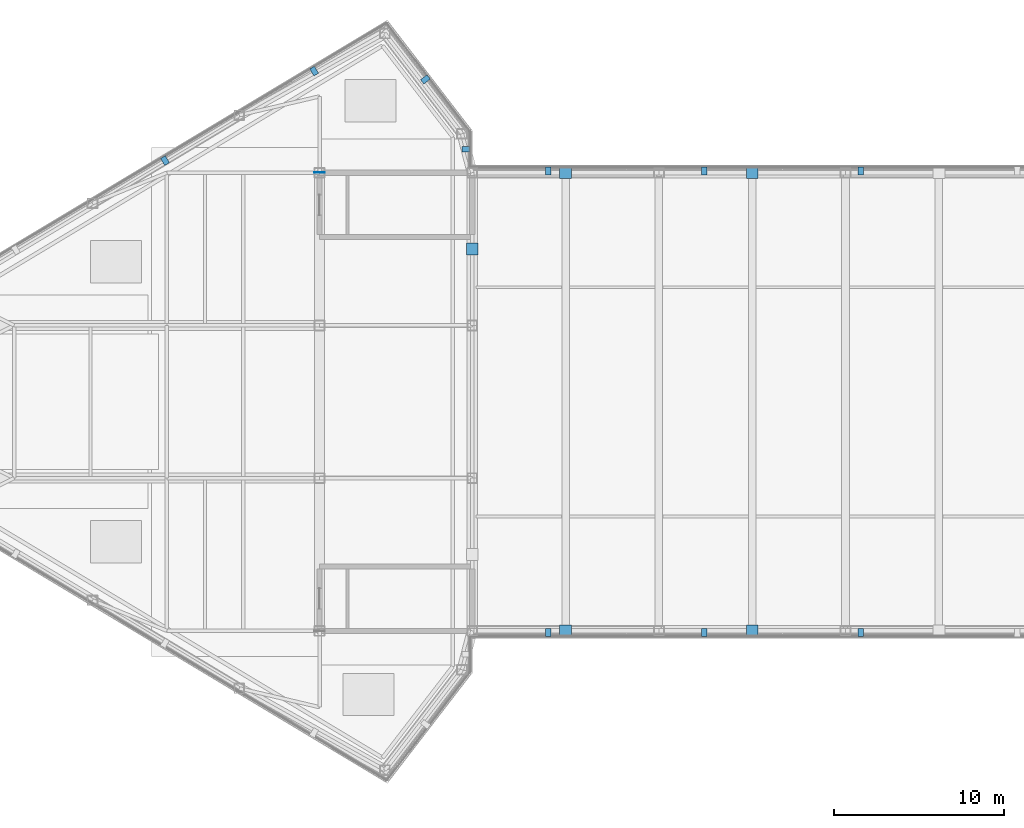
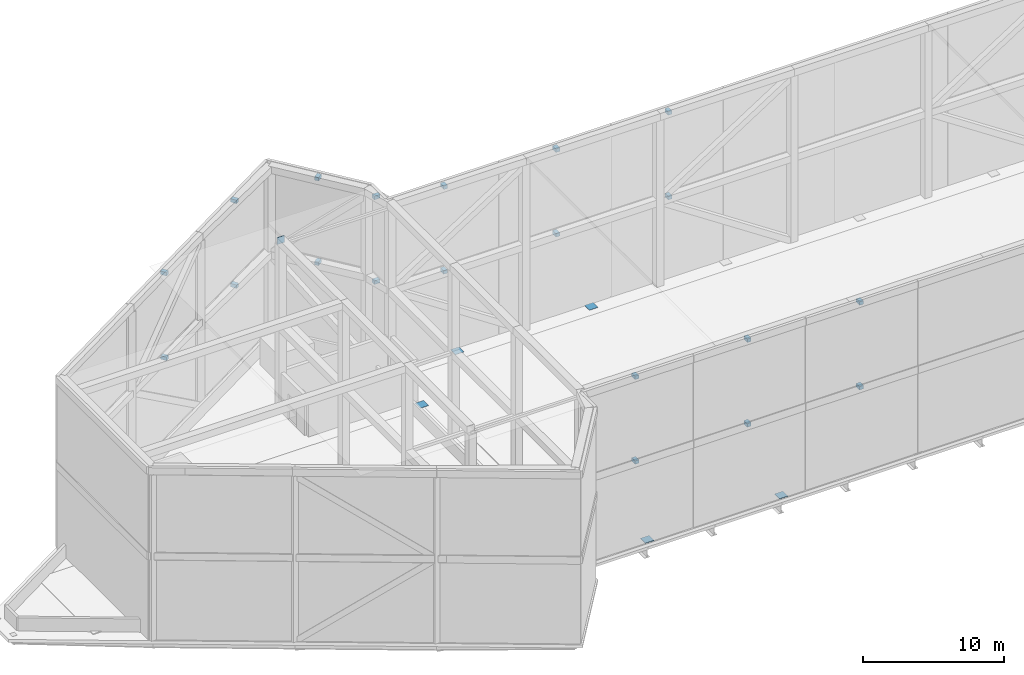
# One storey, part 11 of 16: 26 discrete accessories.
"""IFC4 building model written with IfcOpenShell, lengths in metres."""

from ifc_helpers import new_model, si_unit, direction, frame, origin, origin_2d, place, context, subcontext, project, spatial, rectangle, extrude, source, transform, mapped, material, type_object, type_shapes, element, save


model = new_model("IFC4")

# Units and contexts
model_context = context("Model", 3, precision=1e-05, world=origin(), true_north=direction((0.0, 1.0)))
body_context = subcontext(model_context, "Body", "Model", "MODEL_VIEW")
ifc_project = project(units=[si_unit("LENGTHUNIT", "METRE"), si_unit("AREAUNIT", "SQUARE_METRE"), si_unit("VOLUMEUNIT", "CUBIC_METRE"), si_unit("PLANEANGLEUNIT", "RADIAN"), si_unit("MASSUNIT", "GRAM", prefix="KILO")], contexts=[model_context])

# Site, building, storey
site_placement = place(None, origin())
site = spatial("IfcSite", under=ifc_project, at=site_placement, CompositionType="ELEMENT")
building_placement = place(site_placement, origin())
building = spatial("IfcBuilding", under=site, at=building_placement, Name="Seokmaru Belvedere", CompositionType="ELEMENT")
storey_placement = place(building_placement, frame((0.0, 0.0, 279.0)))
storey = spatial("IfcBuildingStorey", under=building, at=storey_placement, Name="RF", CompositionType="ELEMENT", Elevation=279.0)

# Discrete accessories
ifc_material_1 = material(Name="Stainless Steel 316", Category="steel")
discrete_accessory_type_1 = type_object("IfcDiscreteAccessoryType", Name="Stainless Steel Facade Mounting Bracket", PredefinedType="BRACKET", material=ifc_material_1)
shared_shape_1 = source(origin(), body_context, "Body", "SweptSolid", [
    extrude(rectangle(XDim=0.320068359375, YDim=0.47998046875, at=origin_2d()), origin(), (0.0, 0.0, 1.0), 0.300048828125),
])
type_shapes(discrete_accessory_type_1, [shared_shape_1])
for number, where, z_axis, x_axis, name in (
    (1, (-23.033203125, -13.60009765625, 7.14990234375), (0.0, 0.0, 1.0), (1.0, 0.0, 0.0), "RF Crown Screen Tie Bracket 01-1"),
    (2, (-23.033203125, -13.60009765625, 14.5), (0.0, 0.0, 1.0), (1.0, 0.0, 0.0), "RF Crown Screen Tie Bracket 01-2"),
    (3, (-13.820068359375, -13.60009765625, 7.14990234375), (0.0, 0.0, 1.0), (1.0, 0.0, 0.0), "RF Crown Screen Tie Bracket 02-1"),
    (4, (-13.820068359375, -13.60009765625, 14.5), (0.0, 0.0, 1.0), (1.0, 0.0, 0.0), "RF Crown Screen Tie Bracket 02-2"),
    (5, (-4.606689453125, -13.60009765625, 7.14990234375), (0.0, 0.0, 1.0), (1.0, 0.0, 0.0), "RF Crown Screen Tie Bracket 03-1"),
    (6, (-4.606689453125, -13.60009765625, 14.5), (0.0, 0.0, 1.0), (1.0, 0.0, 0.0), "RF Crown Screen Tie Bracket 03-2"),
    (7, (-4.606689453125, 13.60009765625, 7.14990234375), (0.0, 0.0, 1.0), (-1.0, 0.0, 0.0), "RF Crown Screen Tie Bracket 21-1"),
    (8, (-4.606689453125, 13.60009765625, 14.5), (0.0, 0.0, 1.0), (-1.0, 0.0, 0.0), "RF Crown Screen Tie Bracket 21-2"),
    (9, (-13.820068359375, 13.60009765625, 7.14990234375), (0.0, 0.0, 1.0), (-1.0, 0.0, 0.0), "RF Crown Screen Tie Bracket 22-1"),
    (10, (-13.820068359375, 13.60009765625, 14.5), (0.0, 0.0, 1.0), (-1.0, 0.0, 0.0), "RF Crown Screen Tie Bracket 22-2"),
    (11, (-23.033203125, 13.60009765625, 7.14990234375), (0.0, 0.0, 1.0), (-1.0, 0.0, 0.0), "RF Crown Screen Tie Bracket 23-1"),
    (12, (-23.033203125, 13.60009765625, 14.5), (0.0, 0.0, 1.0), (-1.0, 0.0, 0.0), "RF Crown Screen Tie Bracket 23-2"),
    (13, (-27.860107421875, 14.88623046875, 7.14990234375), (0.0, 0.0, 1.0), (0.0, 1.0, 0.0), "RF Crown Screen Tie Bracket 24-1"),
    (14, (-27.860107421875, 14.88623046875, 14.5), (0.0, 0.0, 1.0), (0.0, 1.0, 0.0), "RF Crown Screen Tie Bracket 24-2"),
    (15, (-30.261962890625, 19.0, 7.14990234375), (0.0, 0.0, 1.0), (-0.609709487731, 0.792624968425, 0.0), "RF Crown Screen Tie Bracket 25-1"),
    (16, (-30.261962890625, 19.0, 14.5), (0.0, 0.0, 1.0), (-0.609709487731, 0.792624968425, 0.0), "RF Crown Screen Tie Bracket 25-2"),
    (17, (-36.817626953125, 19.48974609375, 7.14990234375), (0.0, 0.0, 1.0), (-0.857492535386, -0.514496405972, 0.0), "RF Crown Screen Tie Bracket 26-1"),
    (18, (-36.817626953125, 19.48974609375, 14.5), (0.0, 0.0, 1.0), (-0.857492535386, -0.514496405972, 0.0), "RF Crown Screen Tie Bracket 26-2"),
    (19, (-45.609375, 14.214599609375, 7.14990234375), (0.0, 0.0, 1.0), (-0.857492535386, -0.514496405972, 0.0), "RF Crown Screen Tie Bracket 27-1"),
    (20, (-45.609375, 14.214599609375, 14.5), (0.0, 0.0, 1.0), (-0.857492535386, -0.514496405972, 0.0), "RF Crown Screen Tie Bracket 27-2"),
):
    element("IfcDiscreteAccessory", number, at=place(storey_placement, frame(where, z_axis=z_axis, x_axis=x_axis)), inside=storey, type_object=discrete_accessory_type_1, Name=name, PredefinedType="BRACKET", context=body_context, shape_type="MappedRepresentation", body=[
        mapped(shared_shape_1, transform((0.0, 0.0, 0.0), scale=1.0)),
    ])
ifc_material_2 = material(Name="Steel SM355 (355 MPa)", Category="steel")
discrete_accessory_type_2 = type_object("IfcDiscreteAccessoryType", Name="End Cap Plate BOX-700x700x30", PredefinedType="USERDEFINED", material=ifc_material_2)
shared_shape_2 = source(origin(), body_context, "Body", "SweptSolid", [
    extrude(rectangle(XDim=0.699951171875, YDim=0.699951171875, at=origin_2d()), origin(), (0.0, 0.0, 1.0), 0.030029296875),
])
type_shapes(discrete_accessory_type_2, [shared_shape_2])
for number, where, z_axis, x_axis, name in (
    (21, (-27.5, 9.0, 0.0), (0.0, 0.0, 1.0), (1.0, 0.0, 0.0), "L72 Column WS5 End Cap Plate Top"),
    (22, (-22.0, -13.5, 0.0), (0.0, 0.0, 1.0), (1.0, 0.0, 0.0), "L72 Column BRS_1 End Cap Plate Top"),
    (23, (-22.0, 13.5, 0.0), (0.0, 0.0, 1.0), (1.0, 0.0, 0.0), "L72 Column BRN_1 End Cap Plate Top"),
    (24, (-11.0, -13.5, 0.0), (0.0, 0.0, 1.0), (1.0, 0.0, 0.0), "L72 Column BRS_3 End Cap Plate Top"),
    (25, (-11.0, 13.5, 0.0), (0.0, 0.0, 1.0), (1.0, 0.0, 0.0), "L72 Column BRN_3 End Cap Plate Top"),
):
    element("IfcDiscreteAccessory", number, at=place(storey_placement, frame(where, z_axis=z_axis, x_axis=x_axis)), inside=storey, type_object=discrete_accessory_type_2, Name=name, ObjectType="END_CAP_PLATE", PredefinedType="USERDEFINED", context=body_context, shape_type="MappedRepresentation", body=[
        mapped(shared_shape_2, transform((0.0, 0.0, 0.0), scale=1.0)),
    ])
discrete_accessory_type_3 = type_object("IfcDiscreteAccessoryType", Name="End Cap Plate HSS-600x600x25", PredefinedType="USERDEFINED", material=ifc_material_2)
shared_shape_3 = source(origin(), body_context, "Body", "SweptSolid", [
    extrude(rectangle(XDim=0.02490234375, YDim=0.60009765625, at=origin_2d()), origin(), (0.0, 0.0, 1.0), 0.60009765625),
])
type_shapes(discrete_accessory_type_3, [shared_shape_3])
discrete_accessory_placement = place(storey_placement, frame((-36.5, 13.512451171875, 14.39990234375), z_axis=(0.0, 0.0, 1.0), x_axis=(0.0, 1.0, 0.0)))
element("IfcDiscreteAccessory", 26, at=discrete_accessory_placement, inside=storey, type_object=discrete_accessory_type_3, Name="RF Crown Cross Tie CROWN FRAME T2-W2-3 End Cap Plate End", ObjectType="END_CAP_PLATE", PredefinedType="USERDEFINED", context=body_context, shape_type="MappedRepresentation", body=[
    mapped(shared_shape_3, transform((0.0, 0.0, 0.0), scale=1.0)),
])

save(model, "model.ifc")
